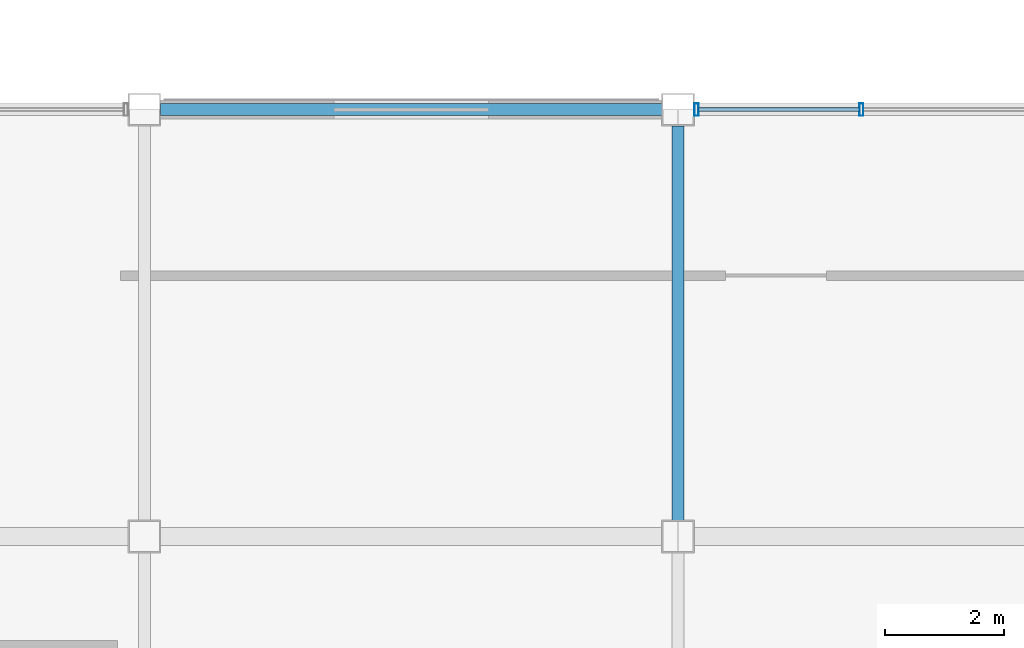
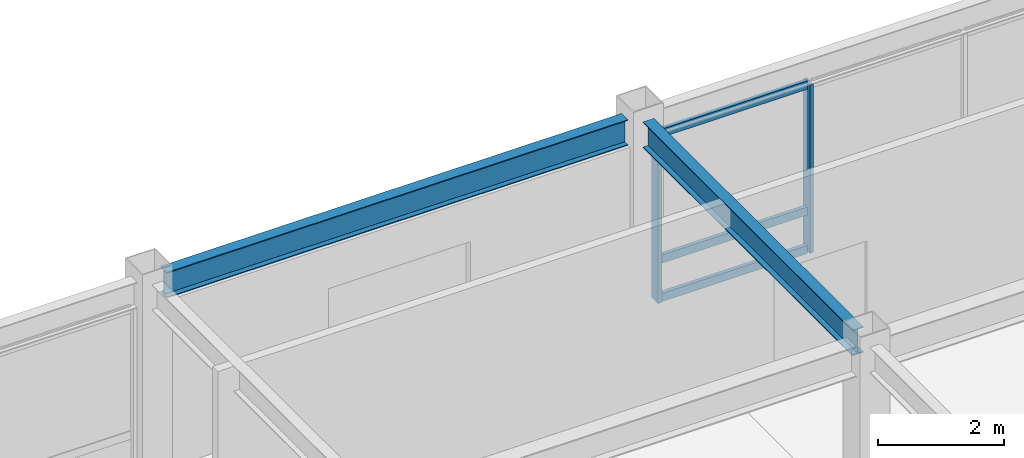
# One storey, part 43 of 122: 5 members, 2 beams, 1 element without a shape of its own.
"""IFC4 building model written with IfcOpenShell, lengths in metres."""

from ifc_helpers import new_model, si_unit, direction, frame, origin, origin_2d, place, context, subcontext, project, spatial, hollow_rectangle, i_section, extrude, material, material_profile, profile_set, type_object, element, aggregate, save


model = new_model("IFC4")

# Units and contexts
model_context = context("Model", 3, precision=1e-05, world=origin(), true_north=direction((0.0, 1.0)))
body_context = subcontext(model_context, "Body", "Model", "MODEL_VIEW")
ifc_project = project(units=[si_unit("LENGTHUNIT", "METRE"), si_unit("AREAUNIT", "SQUARE_METRE"), si_unit("VOLUMEUNIT", "CUBIC_METRE"), si_unit("PLANEANGLEUNIT", "RADIAN"), si_unit("MASSUNIT", "GRAM", prefix="KILO")], contexts=[model_context])

# Site, building, storey
site_placement = place(None, origin())
site = spatial("IfcSite", under=ifc_project, at=site_placement, CompositionType="ELEMENT")
building_placement = place(site_placement, origin())
building = spatial("IfcBuilding", under=site, at=building_placement, Name="Kazanami Central Library", CompositionType="ELEMENT")
storey_placement = place(building_placement, frame((0.0, 0.0, 4.800048828125)))
storey = spatial("IfcBuildingStorey", under=building, at=storey_placement, Name="L02", CompositionType="ELEMENT", Elevation=4.800048828125)

# Beams
ifc_material_1 = material(Name="Steel SN490B (325 MPa)", Category="steel")
ifc_material_profile_1 = material_profile(ifc_material_1, i_section(OverallWidth=0.199951171875, OverallDepth=0.5, WebThickness=0.010009765625, FlangeThickness=0.01611328125, at=origin_2d()), Name="H-500x200x10x16")
ifc_profile_set_1 = profile_set([ifc_material_profile_1], Name="Steel SN490B (325 MPa)")
beam_type_1 = type_object("IfcBeamType", Name="BM-G-Y2", PredefinedType="BEAM", material=ifc_profile_set_1)
beam_1_placement = place(storey_placement, frame((90.0, 29.072998046875, 3.5048828125), z_axis=(0.0, 1.0, 0.0), x_axis=(-1.0, 0.0, 0.0)))
element("IfcBeam", 1, at=beam_1_placement, inside=storey, type_object=beam_type_1, Name="Girder G-Y2 L02 11/E-F", PredefinedType="BEAM", context=body_context, shape_type="SweptSolid", body=[
    extrude(i_section(OverallWidth=0.199951171875, OverallDepth=0.5, WebThickness=0.010009765625, FlangeThickness=0.01611328125, at=origin_2d()), origin(), (0.0, 0.0, 1.0), 6.654052734375),
])
ifc_material_profile_2 = material_profile(ifc_material_1, i_section(OverallWidth=0.199951171875, OverallDepth=0.5, WebThickness=0.010009765625, FlangeThickness=0.01611328125, at=origin_2d()), Name="H-500x200x10x16")
ifc_profile_set_2 = profile_set([ifc_material_profile_2], Name="Steel SN490B (325 MPa)")
beam_type_2 = type_object("IfcBeamType", Name="BM-SP-1", PredefinedType="SPANDREL", material=ifc_profile_set_2)
beam_2_placement = place(storey_placement, frame((81.27294921875, 36.0, 3.5048828125), z_axis=(1.0, 0.0, 0.0), x_axis=(0.0, 1.0, 0.0)))
element("IfcBeam", 2, at=beam_2_placement, inside=storey, type_object=beam_type_2, Name="Girder SP-1 L02 F/10-11", PredefinedType="SPANDREL", context=body_context, shape_type="SweptSolid", body=[
    extrude(i_section(OverallWidth=0.199951171875, OverallDepth=0.5, WebThickness=0.010009765625, FlangeThickness=0.01611328125, at=origin_2d()), origin(), (0.0, 0.0, 1.0), 8.4541015625),
])

# Curtain wall, members
ifc_material_2 = material(Name="Acid-Etched Low-E Laminated Glass", Category="glass")
curtain_wall_type = type_object("IfcCurtainWallType", Name="CW-8450x3255-M275", PredefinedType="USERDEFINED", material=ifc_material_2)
curtain_wall_placement = place(storey_placement, origin())
curtain_wall = element("IfcCurtainWall", 3, at=curtain_wall_placement, inside=storey, type_object=curtain_wall_type, Name="Unitised Curtain Wall CW-13 L02 N-F-10", ObjectType="UNITISED CURTAIN WALL", PredefinedType="USERDEFINED")
ifc_material_3 = material(Name="Anodised Aluminium A6063-T5", Category="aluminium")
ifc_material_profile_3 = material_profile(ifc_material_3, hollow_rectangle(XDim=0.070068359375, YDim=0.2099609375, WallThickness=0.0048828125, at=origin_2d()), Name="ALU-MULL-70x210x5")
ifc_profile_set_3 = profile_set([ifc_material_profile_3], Name="Anodised Aluminium A6063-T5")
member_type_1 = type_object("IfcMemberType", Name="MEM-CW-M1", PredefinedType="MULLION", material=ifc_profile_set_3)
member_1_placement = place(storey_placement, frame((93.091552734375, 36.0, 0.0), z_axis=(0.0, 0.0, 1.0), x_axis=(-1.0, 0.0, 0.0)))
member_1 = element("IfcMember", 4, at=member_1_placement, type_object=member_type_1, Name="CW-13 mullion 3", PredefinedType="MULLION", context=body_context, shape_type="SweptSolid", body=[
    extrude(hollow_rectangle(XDim=0.070068359375, YDim=0.2099609375, WallThickness=0.0048828125, at=origin_2d()), origin(), (0.0, 0.0, 1.0), 3.2548828125),
])
member_2_placement = place(storey_placement, frame((90.31005859375, 36.0, 0.0), z_axis=(0.0, 0.0, 1.0), x_axis=(-1.0, 0.0, 0.0)))
member_2 = element("IfcMember", 5, at=member_2_placement, type_object=member_type_1, Name="CW-13 mullion 4", PredefinedType="MULLION", context=body_context, shape_type="SweptSolid", body=[
    extrude(hollow_rectangle(XDim=0.070068359375, YDim=0.2099609375, WallThickness=0.0048828125, at=origin_2d()), origin(), (0.0, 0.0, 1.0), 3.2548828125),
])
ifc_material_profile_4 = material_profile(ifc_material_3, hollow_rectangle(XDim=0.070068359375, YDim=0.159912109375, WallThickness=0.00390625, at=origin_2d()), Name="ALU-TRAN-70x160x4")
ifc_profile_set_4 = profile_set([ifc_material_profile_4], Name="Anodised Aluminium A6063-T5")
member_type_2 = type_object("IfcMemberType", Name="MEM-CW-T1", PredefinedType="USERDEFINED", material=ifc_profile_set_4)
member_3_placement = place(storey_placement, frame((93.056640625, 36.0, 0.034912109375), z_axis=(-1.0, 0.0, 0.0), x_axis=(0.0, -1.0, 0.0)))
member_3 = element("IfcMember", 6, at=member_3_placement, type_object=member_type_2, Name="CW-13 transom 3.1", ObjectType="TRANSOM", PredefinedType="USERDEFINED", context=body_context, shape_type="SweptSolid", body=[
    extrude(hollow_rectangle(XDim=0.070068359375, YDim=0.159912109375, WallThickness=0.00390625, at=origin_2d()), origin(), (0.0, 0.0, 1.0), 2.711669921875),
])
member_4_placement = place(storey_placement, frame((93.056640625, 36.0, 0.780029296875), z_axis=(-1.0, 0.0, 0.0), x_axis=(0.0, -1.0, 0.0)))
member_4 = element("IfcMember", 7, at=member_4_placement, type_object=member_type_2, Name="CW-13 transom 3.2", ObjectType="TRANSOM", PredefinedType="USERDEFINED", context=body_context, shape_type="SweptSolid", body=[
    extrude(hollow_rectangle(XDim=0.070068359375, YDim=0.159912109375, WallThickness=0.00390625, at=origin_2d()), origin(), (0.0, 0.0, 1.0), 2.711669921875),
])
member_5_placement = place(storey_placement, frame((93.056640625, 36.0, 3.219970703125), z_axis=(-1.0, 0.0, 0.0), x_axis=(0.0, -1.0, 0.0)))
member_5 = element("IfcMember", 8, at=member_5_placement, type_object=member_type_2, Name="CW-13 transom 3.3", ObjectType="TRANSOM", PredefinedType="USERDEFINED", context=body_context, shape_type="SweptSolid", body=[
    extrude(hollow_rectangle(XDim=0.070068359375, YDim=0.159912109375, WallThickness=0.00390625, at=origin_2d()), origin(), (0.0, 0.0, 1.0), 2.711669921875),
])
aggregate(curtain_wall, [member_1, member_2, member_3, member_4, member_5])

save(model, "model.ifc")
